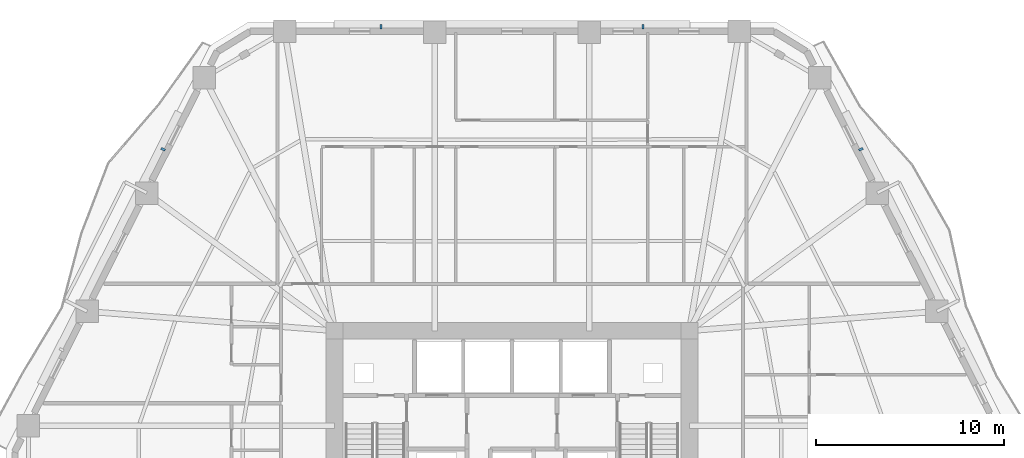
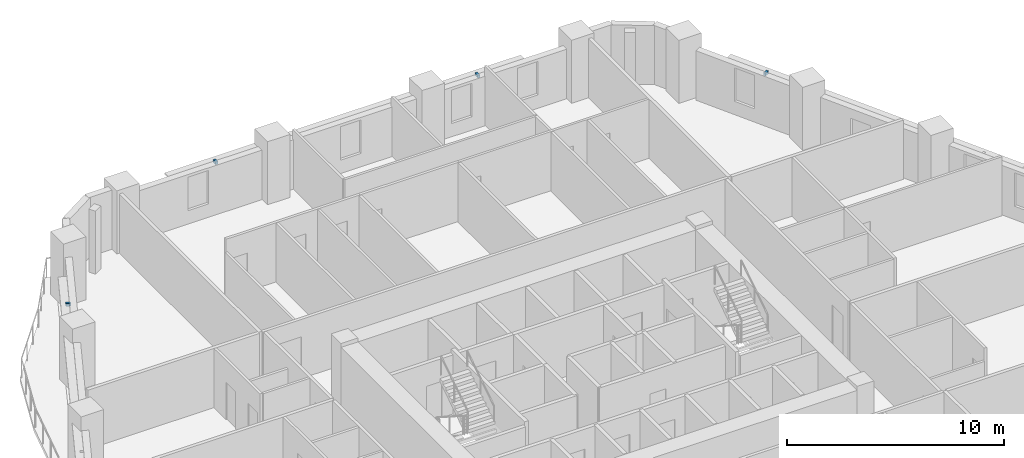
# One storey, part 10 of 14: 4 discrete accessories.
"""IFC4 building model written with IfcOpenShell, lengths in metres."""

from ifc_helpers import new_model, si_unit, direction, frame, origin, origin_2d, place, context, subcontext, project, spatial, rectangle, extrude, material, type_object, element, save


model = new_model("IFC4")

# Units and contexts
model_context = context("Model", 3, precision=1e-05, world=origin(), true_north=direction((0.0, 1.0)))
body_context = subcontext(model_context, "Body", "Model", "MODEL_VIEW")
ifc_project = project(units=[si_unit("LENGTHUNIT", "METRE"), si_unit("AREAUNIT", "SQUARE_METRE"), si_unit("VOLUMEUNIT", "CUBIC_METRE"), si_unit("PLANEANGLEUNIT", "RADIAN"), si_unit("MASSUNIT", "GRAM", prefix="KILO")], contexts=[model_context])

# Site, building, storey
site_placement = place(None, origin())
site = spatial("IfcSite", under=ifc_project, at=site_placement, CompositionType="ELEMENT")
building_placement = place(site_placement, origin())
building = spatial("IfcBuilding", under=site, at=building_placement, Name="Cinnabar Lancet Tower", CompositionType="ELEMENT")
storey_placement = place(building_placement, frame((0.0, 0.0, 39.10009765625)))
storey = spatial("IfcBuildingStorey", under=building, at=storey_placement, Name="L09", CompositionType="ELEMENT", Elevation=39.10009765625)

# Discrete accessories
ifc_material = material(Name="Stainless steel 316 facade fixing bracket", Category="steel")
discrete_accessory_type = type_object("IfcDiscreteAccessoryType", Name="ENV-ACC-BRK-180", PredefinedType="BRACKET", material=ifc_material)
for number, where, z_axis, x_axis, name in (
    (1, (50.993896484375, 43.02099609375, 2.60009765625), (0.0, 0.0, 1.0), (-0.451500573218, 0.892270829056, 0.0), "L09 Face 3 Sunshade Bracket B"),
    (2, (39.383056640625, 49.5400390625, 2.60009765625), (0.0, 0.0, 1.0), (-1.0, 0.0, 0.0), "L09 Face 4 Sunshade Bracket A"),
    (3, (25.4169921875, 49.5400390625, 2.60009765625), (0.0, 0.0, 1.0), (-1.0, 0.0, 0.0), "L09 Face 4 Sunshade Bracket B"),
    (4, (13.805908203125, 43.02099609375, 2.60009765625), (0.0, 0.0, 1.0), (-0.451500573218, -0.892270829056, 0.0), "L09 Face 5 Sunshade Bracket A"),
):
    element("IfcDiscreteAccessory", number, at=place(storey_placement, frame(where, z_axis=z_axis, x_axis=x_axis)), inside=storey, type_object=discrete_accessory_type, Name=name, PredefinedType="BRACKET", context=body_context, shape_type="SweptSolid", body=[
        extrude(rectangle(XDim=0.1201171875, YDim=0.239990234375, at=origin_2d()), origin(), (0.0, 0.0, 1.0), 0.159912109375),
    ])

save(model, "model.ifc")
